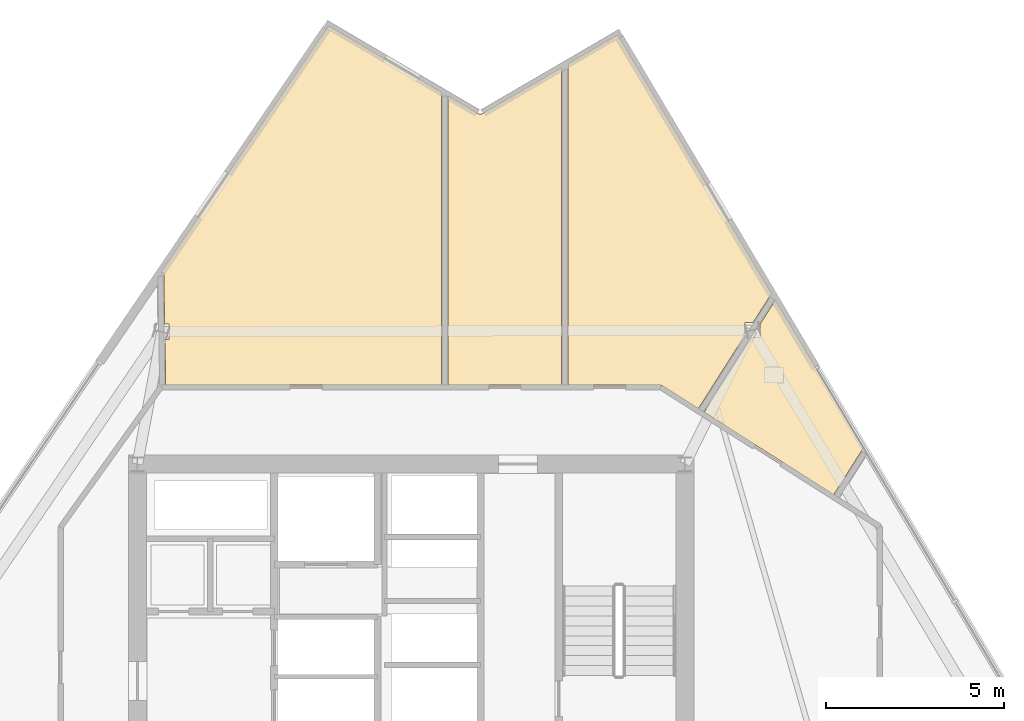
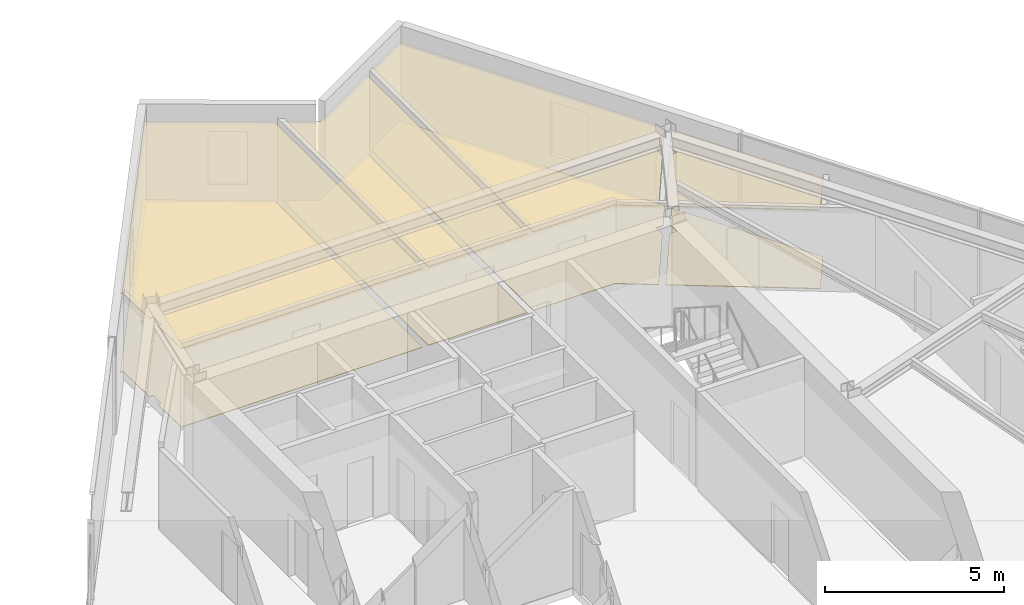
# One storey, part 14 of 15: 8 coverings.
"""IFC4 building model written with IfcOpenShell, lengths in metres."""

from ifc_helpers import new_model, si_unit, direction, frame, origin, place, context, subcontext, project, spatial, polyline, outline, extrude, material, layer, layer_set, type_object, element, save


model = new_model("IFC4")

# Units and contexts
model_context = context("Model", 3, precision=1e-05, world=origin(), true_north=direction((0.0, 1.0)))
body_context = subcontext(model_context, "Body", "Model", "MODEL_VIEW")
ifc_project = project(units=[si_unit("LENGTHUNIT", "METRE"), si_unit("AREAUNIT", "SQUARE_METRE"), si_unit("VOLUMEUNIT", "CUBIC_METRE"), si_unit("PLANEANGLEUNIT", "RADIAN"), si_unit("MASSUNIT", "GRAM", prefix="KILO")], contexts=[model_context])

# Site, building, storey
site_placement = place(None, origin())
site = spatial("IfcSite", under=ifc_project, at=site_placement, CompositionType="ELEMENT")
building_placement = place(site_placement, origin())
building = spatial("IfcBuilding", under=site, at=building_placement, Name="Savorim Split Tower", CompositionType="ELEMENT")
storey_placement = place(building_placement, frame((0.0, 0.0, 138.60009765625)))
storey = spatial("IfcBuildingStorey", under=building, at=storey_placement, Name="L36", CompositionType="ELEMENT", Elevation=138.60009765625)

# Coverings
ifc_material_1 = material(Name="Mineral Fibre Acoustic Ceiling")
ifc_layer_1 = layer(ifc_material_1, 0.02490234375)
ifc_layer_set_1 = layer_set([ifc_layer_1], Name="COV-CEIL-25")
covering_type_1 = type_object("IfcCoveringType", Name="COV-CEIL-25", PredefinedType="CEILING", material=ifc_layer_set_1)
covering_1_placement = place(storey_placement, frame((0.0, 0.0, 2.669921875)))
element("IfcCovering", 1, at=covering_1_placement, inside=storey, type_object=covering_type_1, Name="L36 Shared Kitchen Acoustic Ceiling", PredefinedType="CEILING", context=body_context, shape_type="SweptSolid", body=[
    extrude(outline(polyline([(9.573974609375, 13.7578125), (8.238525390625, 11.658203125), (8.23828125, 11.658203125), (11.884765625, 9.3388671875), (12.721435546875, 10.654052734375), (10.246826171875, 14.815673828125), (9.80908203125, 14.12744140625), (9.80908203125, 13.7578125), (9.573974609375, 13.7578125)])), origin(), (0.0, 0.0, 1.0), 0.02490234375),
])
covering_2_placement = place(storey_placement, frame((0.0, 0.0, 2.669921875)))
element("IfcCovering", 2, at=covering_2_placement, inside=storey, type_object=covering_type_1, Name="L36 Quiet Study Room Acoustic Ceiling", PredefinedType="CEILING", context=body_context, shape_type="SweptSolid", body=[
    extrude(outline(polyline([(10.13330078125, 14.990966796875), (10.148193359375, 14.9814453125), (5.81005859375, 22.27734375), (4.416015625, 21.46484375), (4.416015625, 12.419921875), (7.0, 12.419921875), (7.01318359375, 12.41943359375), (7.0263671875, 12.41748046875), (7.0390625, 12.414306640625), (7.051513671875, 12.41015625), (7.063720703125, 12.40478515625), (7.0751953125, 12.398193359375), (8.078125, 11.76025390625), (9.385009765625, 13.81494140625), (9.385009765625, 14.184814453125), (9.620361328125, 14.184814453125), (10.082275390625, 14.910888671875), (10.13330078125, 14.990966796875)])), origin(), (0.0, 0.0, 1.0), 0.02490234375),
])
covering_3_placement = place(storey_placement, frame((0.0, 0.0, 2.669921875)))
element("IfcCovering", 3, at=covering_3_placement, inside=storey, type_object=covering_type_1, Name="L36 Quiet Study Room Acoustic Ceiling", PredefinedType="CEILING", context=body_context, shape_type="SweptSolid", body=[
    extrude(outline(polyline([(1.90380859375, 20.049560546875), (1.89306640625, 20.053955078125), (1.8828125, 20.059326171875), (1.04150390625, 20.5537109375), (1.04150390625, 12.419921875), (4.22607421875, 12.419921875), (4.22607421875, 21.354248046875), (2.00390625, 20.05908203125), (1.993896484375, 20.0537109375), (1.983154296875, 20.049560546875), (1.971923828125, 20.046142578125), (1.960693359375, 20.0439453125), (1.94921875, 20.04296875), (1.9375, 20.04296875), (1.926025390625, 20.044189453125), (1.914794921875, 20.04638671875), (1.90380859375, 20.049560546875)])), origin(), (0.0, 0.0, 1.0), 0.02490234375),
])
covering_4_placement = place(storey_placement, frame((0.0, 0.0, 2.669921875)))
element("IfcCovering", 4, at=covering_4_placement, inside=storey, type_object=covering_type_1, Name="L36 Co-Working Commons Acoustic Ceiling", PredefinedType="CEILING", context=body_context, shape_type="SweptSolid", body=[
    extrude(outline(polyline([(-6.905029296875, 12.419921875), (0.8515625, 12.419921875), (0.8515625, 20.665283203125), (-2.322021484375, 22.530517578125), (-7.048828125, 15.582275390625), (-6.959716796875, 15.583740234375), (-6.934814453125, 14.135986328125), (-6.81396484375, 14.135986328125), (-6.81396484375, 13.708984375), (-6.92724609375, 13.708984375), (-6.905029296875, 12.421630859375), (-6.905029296875, 12.419921875)])), origin(), (0.0, 0.0, 1.0), 0.02490234375),
])
ifc_material_2 = material(Name="Porcelain Stoneware Flooring", Category="masonry")
ifc_layer_2 = layer(ifc_material_2, 0.02001953125)
ifc_layer_set_2 = layer_set([ifc_layer_2], Name="COV-FLOR-20")
covering_type_2 = type_object("IfcCoveringType", Name="COV-FLOR-20", PredefinedType="FLOORING", material=ifc_layer_set_2)
covering_5_placement = place(storey_placement, origin())
element("IfcCovering", 5, at=covering_5_placement, inside=storey, type_object=covering_type_2, Name="L36 Shared Kitchen Porcelain Flooring", PredefinedType="FLOORING", context=body_context, shape_type="SweptSolid", body=[
    extrude(outline(polyline([(9.573974609375, 13.7578125), (8.238525390625, 11.658203125), (8.23828125, 11.658203125), (11.884765625, 9.3388671875), (12.721435546875, 10.654052734375), (10.246826171875, 14.815673828125), (9.80908203125, 14.12744140625), (9.80908203125, 13.7578125), (9.573974609375, 13.7578125)])), origin(), (0.0, 0.0, 1.0), 0.02001953125),
])
covering_6_placement = place(storey_placement, origin())
element("IfcCovering", 6, at=covering_6_placement, inside=storey, type_object=covering_type_2, Name="L36 Quiet Study Room Porcelain Flooring", PredefinedType="FLOORING", context=body_context, shape_type="SweptSolid", body=[
    extrude(outline(polyline([(10.13330078125, 14.990966796875), (10.148193359375, 14.9814453125), (5.81005859375, 22.27734375), (4.416015625, 21.46484375), (4.416015625, 12.419921875), (7.0, 12.419921875), (7.01318359375, 12.41943359375), (7.0263671875, 12.41748046875), (7.0390625, 12.414306640625), (7.051513671875, 12.41015625), (7.063720703125, 12.40478515625), (7.0751953125, 12.398193359375), (8.078125, 11.76025390625), (9.385009765625, 13.81494140625), (9.385009765625, 14.184814453125), (9.620361328125, 14.184814453125), (10.082275390625, 14.910888671875), (10.13330078125, 14.990966796875)])), origin(), (0.0, 0.0, 1.0), 0.02001953125),
])
covering_7_placement = place(storey_placement, origin())
element("IfcCovering", 7, at=covering_7_placement, inside=storey, type_object=covering_type_2, Name="L36 Quiet Study Room Porcelain Flooring", PredefinedType="FLOORING", context=body_context, shape_type="SweptSolid", body=[
    extrude(outline(polyline([(1.90380859375, 20.049560546875), (1.89306640625, 20.053955078125), (1.8828125, 20.059326171875), (1.04150390625, 20.5537109375), (1.04150390625, 12.419921875), (4.22607421875, 12.419921875), (4.22607421875, 21.354248046875), (2.00390625, 20.05908203125), (1.993896484375, 20.0537109375), (1.983154296875, 20.049560546875), (1.971923828125, 20.046142578125), (1.960693359375, 20.0439453125), (1.94921875, 20.04296875), (1.9375, 20.04296875), (1.926025390625, 20.044189453125), (1.914794921875, 20.04638671875), (1.90380859375, 20.049560546875)])), origin(), (0.0, 0.0, 1.0), 0.02001953125),
])
covering_8_placement = place(storey_placement, origin())
element("IfcCovering", 8, at=covering_8_placement, inside=storey, type_object=covering_type_2, Name="L36 Co-Working Commons Porcelain Flooring", PredefinedType="FLOORING", context=body_context, shape_type="SweptSolid", body=[
    extrude(outline(polyline([(-6.905029296875, 12.419921875), (0.8515625, 12.419921875), (0.8515625, 20.665283203125), (-2.322021484375, 22.530517578125), (-7.048828125, 15.582275390625), (-6.959716796875, 15.583740234375), (-6.934814453125, 14.135986328125), (-6.81396484375, 14.135986328125), (-6.81396484375, 13.708984375), (-6.92724609375, 13.708984375), (-6.905029296875, 12.421630859375), (-6.905029296875, 12.419921875)])), origin(), (0.0, 0.0, 1.0), 0.02001953125),
])

save(model, "model.ifc")
